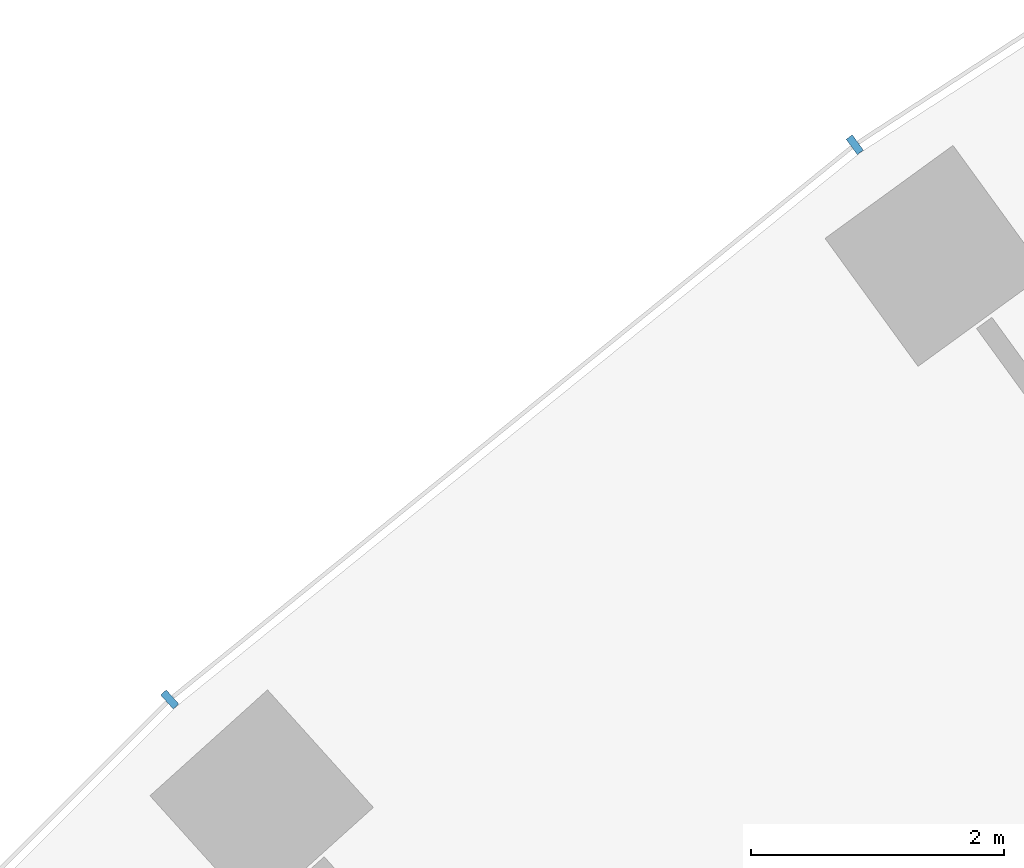
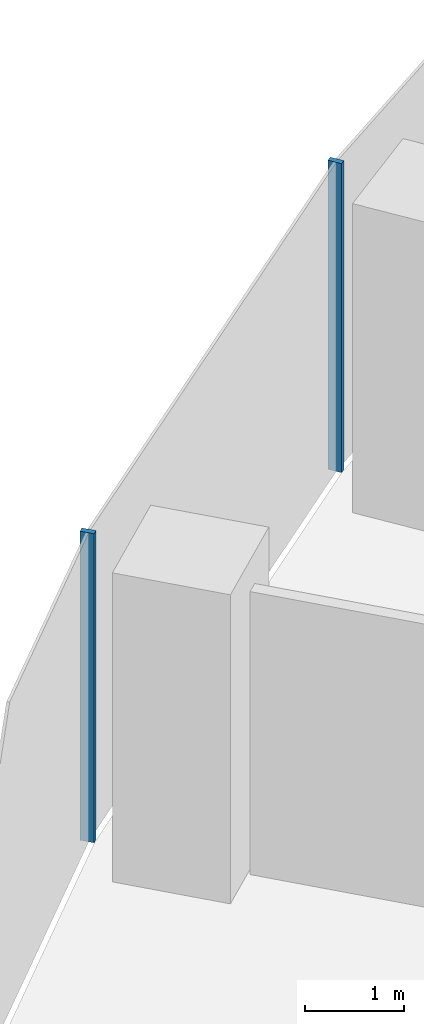
# One storey, part 4 of 21: 2 members, 1 element without a shape of its own.
"""IFC4 building model written with IfcOpenShell, lengths in metres."""

from ifc_helpers import new_model, si_unit, direction, frame, origin, origin_2d, place, context, subcontext, project, spatial, rectangle, extrude, material, layer, layer_set, material_profile, profile_set, type_object, element, aggregate, save


model = new_model("IFC4")

# Units and contexts
model_context = context("Model", 3, precision=1e-05, world=origin(), true_north=direction((0.0, 1.0)))
body_context = subcontext(model_context, "Body", "Model", "MODEL_VIEW")
ifc_project = project(units=[si_unit("LENGTHUNIT", "METRE"), si_unit("AREAUNIT", "SQUARE_METRE"), si_unit("VOLUMEUNIT", "CUBIC_METRE"), si_unit("PLANEANGLEUNIT", "RADIAN"), si_unit("MASSUNIT", "GRAM", prefix="KILO")], contexts=[model_context])

# Site, building, storey
site_placement = place(None, origin())
site = spatial("IfcSite", under=ifc_project, at=site_placement, CompositionType="ELEMENT")
building_placement = place(site_placement, origin())
building = spatial("IfcBuilding", under=site, at=building_placement, Name="Stone Belt Terrace Tower", CompositionType="ELEMENT")
storey_placement = place(building_placement, frame((0.0, 0.0, 60.39990234375)))
storey = spatial("IfcBuildingStorey", under=building, at=storey_placement, Name="L14", CompositionType="ELEMENT", Elevation=60.39990234375)

# Curtain wall, members
ifc_material = material(Name="Aluminium 6063-T6 anodised frame", Category="aluminium")
ifc_layer = layer(ifc_material, 0.14990234375)
ifc_layer_set = layer_set([ifc_layer], Name="CW-A unitised convex-face curtain wall")
curtain_wall_type = type_object("IfcCurtainWallType", Name="CW-A unitised convex-face curtain wall", PredefinedType="NOTDEFINED", material=ifc_layer_set)
curtain_wall_placement = place(storey_placement, origin())
curtain_wall = element("IfcCurtainWall", 1, at=curtain_wall_placement, inside=storey, type_object=curtain_wall_type, Name="CW-A convex face L14", PredefinedType="NOTDEFINED")
ifc_material_profile = material_profile(ifc_material, rectangle(XDim=0.14990234375, YDim=0.06005859375, at=origin_2d()), Name="Aluminium 6063-T6 60x150")
ifc_profile_set = profile_set([ifc_material_profile], Name="Aluminium 6063-T6 anodised frame")
member_type = type_object("IfcMemberType", Name="CW-A mullion 60 x 150", PredefinedType="MULLION", material=ifc_profile_set)
member_1_placement = place(storey_placement, frame((-39.1318359375, 53.8603515625, 0.0), z_axis=(0.0, 0.0, 1.0), x_axis=(0.587785252292, -0.809016994375, 0.0)))
member_1 = element("IfcMember", 2, at=member_1_placement, type_object=member_type, Name="CW-A mullion 15", PredefinedType="MULLION", context=body_context, shape_type="SweptSolid", body=[
    extrude(rectangle(XDim=0.14990234375, YDim=0.06005859375, at=origin_2d()), origin(), (0.0, 0.0, 1.0), 3.800048828125),
])
member_2_placement = place(storey_placement, frame((-44.54736328125, 49.474853515625, 0.0), z_axis=(0.0, 0.0, 1.0), x_axis=(0.669130606359, -0.743144825477, 0.0)))
member_2 = element("IfcMember", 3, at=member_2_placement, type_object=member_type, Name="CW-A mullion 16", PredefinedType="MULLION", context=body_context, shape_type="SweptSolid", body=[
    extrude(rectangle(XDim=0.14990234375, YDim=0.06005859375, at=origin_2d()), origin(), (0.0, 0.0, 1.0), 3.800048828125),
])
aggregate(curtain_wall, [member_1, member_2])

save(model, "model.ifc")
